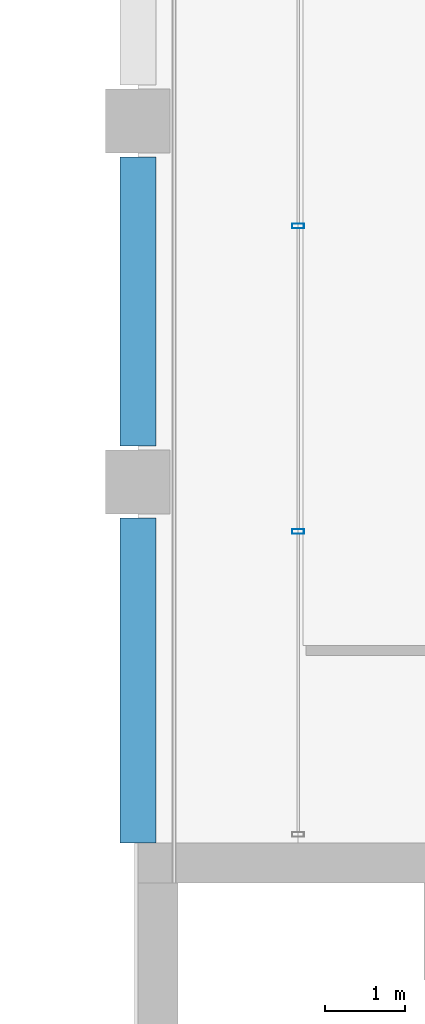
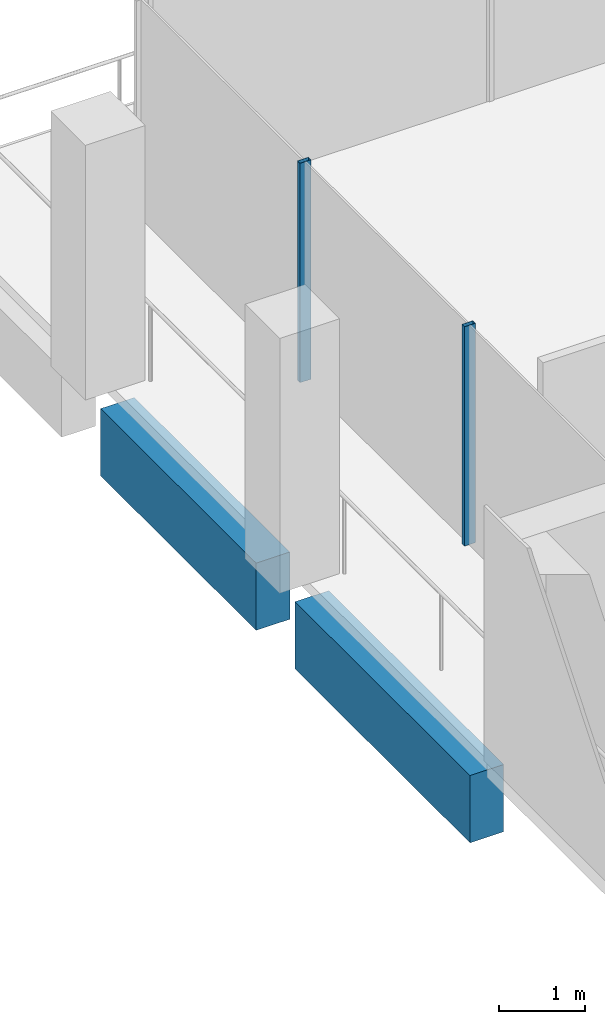
# One storey, part 20 of 40: 2 beams, 2 members, 1 element without a shape of its own.
"""IFC4 building model written with IfcOpenShell, lengths in metres."""

from ifc_helpers import new_model, si_unit, direction, frame, origin, origin_2d, place, context, subcontext, project, spatial, rectangle, hollow_rectangle, extrude, material, material_profile, profile_set, type_object, element, aggregate, save


model = new_model("IFC4")

# Units and contexts
model_context = context("Model", 3, precision=1e-05, world=origin(), true_north=direction((0.0, 1.0)))
body_context = subcontext(model_context, "Body", "Model", "MODEL_VIEW")
ifc_project = project(units=[si_unit("LENGTHUNIT", "METRE"), si_unit("AREAUNIT", "SQUARE_METRE"), si_unit("VOLUMEUNIT", "CUBIC_METRE"), si_unit("PLANEANGLEUNIT", "RADIAN"), si_unit("MASSUNIT", "GRAM", prefix="KILO")], contexts=[model_context])

# Site, building, storey
site_placement = place(None, origin())
site = spatial("IfcSite", under=ifc_project, at=site_placement, CompositionType="ELEMENT")
building_placement = place(site_placement, origin())
building = spatial("IfcBuilding", under=site, at=building_placement, Name="Altepetl Exchange Towers", CompositionType="ELEMENT")
storey_placement = place(building_placement, frame((0.0, 0.0, 195.60009765625)))
storey = spatial("IfcBuildingStorey", under=building, at=storey_placement, Name="L49", CompositionType="ELEMENT", Elevation=195.60009765625)

# Curtain wall, members
ifc_material_1 = material(Name="Aluminium 6063-T6 glazing", Category="aluminium")
curtain_wall_type = type_object("IfcCurtainWallType", Name="Loggia glazing system", PredefinedType="NOTDEFINED", material=ifc_material_1)
curtain_wall_placement = place(storey_placement, origin())
curtain_wall = element("IfcCurtainWall", 1, at=curtain_wall_placement, inside=storey, type_object=curtain_wall_type, Name="CW1 run", PredefinedType="NOTDEFINED")
ifc_material_2 = material(Name="Aluminium 6063-T6", Category="aluminium")
ifc_material_profile_1 = material_profile(ifc_material_2, hollow_rectangle(XDim=0.06005859375, YDim=0.14990234375, WallThickness=0.0029296875, at=origin_2d()), Name="Mullion 60x150 aluminium")
ifc_profile_set_1 = profile_set([ifc_material_profile_1], Name="Aluminium 6063-T6")
member_type = type_object("IfcMemberType", Name="Mullion 60x150 aluminium", PredefinedType="MULLION", material=ifc_profile_set_1)
member_1_placement = place(storey_placement, frame((42.5, 66.191650390625, 0.0), z_axis=(0.0, 0.0, 1.0), x_axis=(0.0, -1.0, 0.0)))
member_1 = element("IfcMember", 2, at=member_1_placement, type_object=member_type, Name="MU1 mullion", PredefinedType="MULLION", context=body_context, shape_type="SweptSolid", body=[
    extrude(hollow_rectangle(XDim=0.06005859375, YDim=0.14990234375, WallThickness=0.0029296875, at=origin_2d()), origin(), (0.0, 0.0, 1.0), 3.099853515625),
])
member_2_placement = place(storey_placement, frame((42.5, 62.38330078125, 0.0), z_axis=(0.0, 0.0, 1.0), x_axis=(0.0, -1.0, 0.0)))
member_2 = element("IfcMember", 3, at=member_2_placement, type_object=member_type, Name="MU1 mullion", PredefinedType="MULLION", context=body_context, shape_type="SweptSolid", body=[
    extrude(hollow_rectangle(XDim=0.06005859375, YDim=0.14990234375, WallThickness=0.0029296875, at=origin_2d()), origin(), (0.0, 0.0, 1.0), 3.099853515625),
])
aggregate(curtain_wall, [member_1, member_2])

# Beams
ifc_material_3 = material(Name="Concrete C50/60 precast with tezontle facing", Category="concrete")
ifc_material_profile_2 = material_profile(ifc_material_3, rectangle(XDim=0.449951171875, YDim=0.949951171875, at=origin_2d()), Name="450 x 950")
ifc_profile_set_2 = profile_set([ifc_material_profile_2], Name="Concrete C50/60 precast with tezontle facing")
beam_type = type_object("IfcBeamType", Name="Spandrel beam 450x950 tezontle", PredefinedType="SPANDREL", material=ifc_profile_set_2)
beam_1_placement = place(storey_placement, frame((40.5, 67.050048828125, -0.625), z_axis=(0.0, -1.0, 0.0), x_axis=(1.0, 0.0, 0.0)))
element("IfcBeam", 4, at=beam_1_placement, inside=storey, type_object=beam_type, Name="sp:A:L49:031", PredefinedType="SPANDREL", context=body_context, shape_type="SweptSolid", body=[
    extrude(rectangle(XDim=0.449951171875, YDim=0.949951171875, at=origin_2d()), origin(), (0.0, 0.0, 1.0), 3.60009765625),
])
beam_2_placement = place(storey_placement, frame((40.5, 62.550048828125, -0.625), z_axis=(0.0, -1.0, 0.0), x_axis=(1.0, 0.0, 0.0)))
element("IfcBeam", 5, at=beam_2_placement, inside=storey, type_object=beam_type, Name="sp:A:L49:032", PredefinedType="SPANDREL", context=body_context, shape_type="SweptSolid", body=[
    extrude(rectangle(XDim=0.449951171875, YDim=0.949951171875, at=origin_2d()), origin(), (0.0, 0.0, 1.0), 4.050048828125),
])

save(model, "model.ifc")
